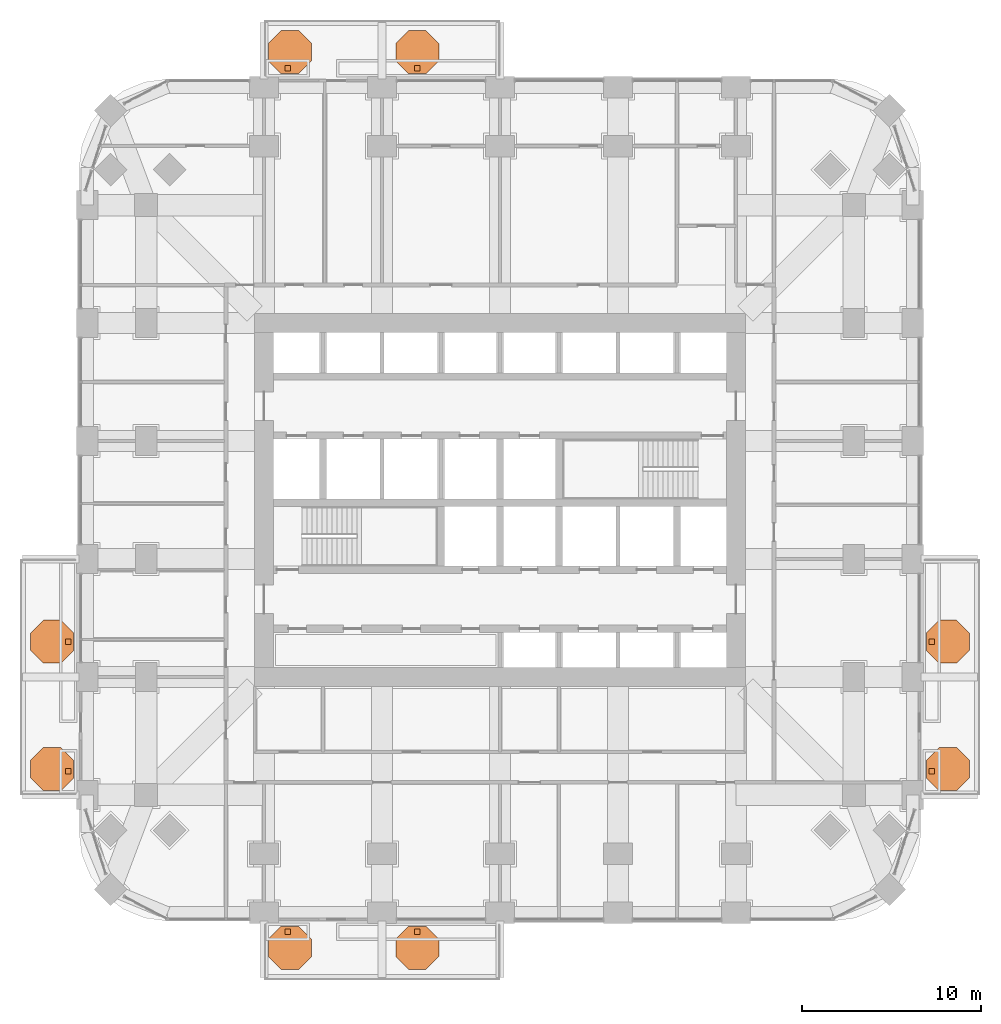
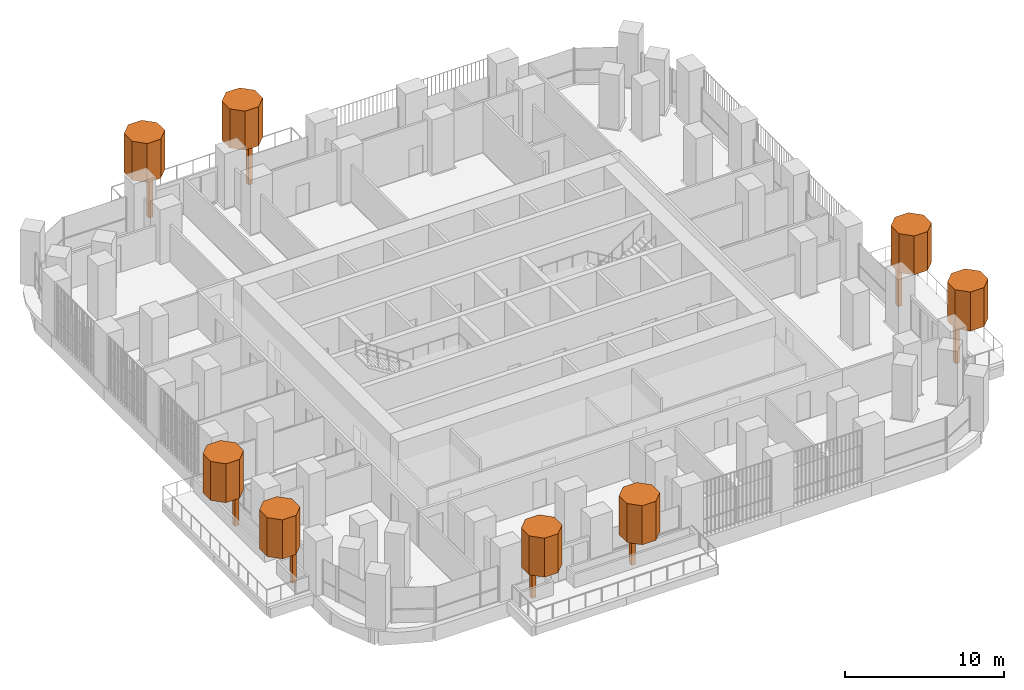
# One storey, part 21 of 21: 16 geographic elements.
"""IFC4 building model written with IfcOpenShell, lengths in metres."""

from ifc_helpers import new_model, si_unit, direction, frame, origin, origin_2d, place, context, subcontext, project, spatial, polyline, rectangle, outline, extrude, material, type_object, element, save


model = new_model("IFC4")

# Units and contexts
model_context = context("Model", 3, precision=1e-05, world=origin(), true_north=direction((0.0, 1.0)))
body_context = subcontext(model_context, "Body", "Model", "MODEL_VIEW")
ifc_project = project(units=[si_unit("LENGTHUNIT", "METRE"), si_unit("AREAUNIT", "SQUARE_METRE"), si_unit("VOLUMEUNIT", "CUBIC_METRE"), si_unit("PLANEANGLEUNIT", "RADIAN"), si_unit("MASSUNIT", "GRAM", prefix="KILO")], contexts=[model_context])

# Site, building, storey
site_placement = place(None, origin())
site = spatial("IfcSite", under=ifc_project, at=site_placement, CompositionType="ELEMENT")
building_placement = place(site_placement, origin())
building = spatial("IfcBuilding", under=site, at=building_placement, Name="Cobogo Forest Laboratory Tower", CompositionType="ELEMENT")
storey_placement = place(building_placement, frame((0.0, 0.0, 107.39990234375)))
storey = spatial("IfcBuildingStorey", under=building, at=storey_placement, Name="L24", CompositionType="ELEMENT", Elevation=107.39990234375)

# Geographic elements
ifc_material = material(Name="Planting", Category="plant")
geographic_element_type_1 = type_object("IfcGeographicElementType", Name="Tree trunk 300", PredefinedType="USERDEFINED", material=ifc_material)
for number, where, z_axis, x_axis, name in (
    (1, (14.52490234375, -1.050048828125, 0.000244140625), (0.0, 0.0, 1.0), (1.0, 0.0, 0.0), "Tree trunk BAL-S1-PL1 L24"),
    (2, (21.77490234375, -1.050048828125, 0.000244140625), (0.0, 0.0, 1.0), (1.0, 0.0, 0.0), "Tree trunk BAL-S1-PL2 L24"),
    (3, (50.550048828125, 7.925048828125, 0.000244140625), (0.0, 0.0, 1.0), (1.0, 0.0, 0.0), "Tree trunk BAL-E1-PL1 L24"),
    (4, (50.550048828125, 15.175048828125, 0.000244140625), (0.0, 0.0, 1.0), (1.0, 0.0, 0.0), "Tree trunk BAL-E1-PL2 L24"),
    (5, (14.52490234375, 47.25, 0.000244140625), (0.0, 0.0, 1.0), (1.0, 0.0, 0.0), "Tree trunk BAL-N1-PL1 L24"),
    (6, (21.77490234375, 47.25, 0.000244140625), (0.0, 0.0, 1.0), (1.0, 0.0, 0.0), "Tree trunk BAL-N1-PL2 L24"),
    (7, (2.25, 7.925048828125, 0.000244140625), (0.0, 0.0, 1.0), (1.0, 0.0, 0.0), "Tree trunk BAL-W1-PL1 L24"),
    (8, (2.25, 15.175048828125, 0.000244140625), (0.0, 0.0, 1.0), (1.0, 0.0, 0.0), "Tree trunk BAL-W1-PL2 L24"),
):
    element("IfcGeographicElement", number, at=place(storey_placement, frame(where, z_axis=z_axis, x_axis=x_axis)), inside=storey, type_object=geographic_element_type_1, Name=name, ObjectType="TREE TRUNK", PredefinedType="USERDEFINED", context=body_context, shape_type="SweptSolid", body=[
        extrude(rectangle(XDim=0.300048828125, YDim=0.300048828125, at=origin_2d()), origin(), (0.0, 0.0, 1.0), 2.89990234375),
    ])
geographic_element_type_2 = type_object("IfcGeographicElementType", Name="Tree, holm oak 5 m", PredefinedType="USERDEFINED", material=ifc_material)
geographic_element_1_placement = place(storey_placement, frame((0.0, 0.0, 2.900146484375)))
element("IfcGeographicElement", 9, at=geographic_element_1_placement, inside=storey, type_object=geographic_element_type_2, Name="Holm tree BAL-S1-PL1 L24", ObjectType="TREE", PredefinedType="USERDEFINED", context=body_context, shape_type="SweptSolid", body=[
    extrude(outline(polyline([(15.85009765625, -2.447021484375), (15.85009765625, -1.452880859375), (15.14697265625, -0.75), (14.15283203125, -0.75), (13.449951171875, -1.452880859375), (13.449951171875, -2.447021484375), (14.15283203125, -3.14990234375), (15.14697265625, -3.14990234375), (15.85009765625, -2.447021484375)])), origin(), (0.0, 0.0, 1.0), 3.0),
])
geographic_element_2_placement = place(storey_placement, frame((0.0, 0.0, 2.900146484375)))
element("IfcGeographicElement", 10, at=geographic_element_2_placement, inside=storey, type_object=geographic_element_type_2, Name="Holm tree BAL-S1-PL2 L24", ObjectType="TREE", PredefinedType="USERDEFINED", context=body_context, shape_type="SweptSolid", body=[
    extrude(outline(polyline([(22.97509765625, -2.447021484375), (22.97509765625, -1.452880859375), (22.27197265625, -0.75), (21.27783203125, -0.75), (20.574951171875, -1.452880859375), (20.574951171875, -2.447021484375), (21.27783203125, -3.14990234375), (22.27197265625, -3.14990234375), (22.97509765625, -2.447021484375)])), origin(), (0.0, 0.0, 1.0), 3.0),
])
geographic_element_3_placement = place(storey_placement, frame((0.0, 0.0, 2.900146484375)))
element("IfcGeographicElement", 11, at=geographic_element_3_placement, inside=storey, type_object=geographic_element_type_2, Name="Holm tree BAL-E1-PL1 L24", ObjectType="TREE", PredefinedType="USERDEFINED", context=body_context, shape_type="SweptSolid", body=[
    extrude(outline(polyline([(52.64990234375, 7.552978515625), (52.64990234375, 8.547119140625), (51.947021484375, 9.25), (50.952880859375, 9.25), (50.25, 8.547119140625), (50.25, 7.552978515625), (50.952880859375, 6.85009765625), (51.947021484375, 6.85009765625), (52.64990234375, 7.552978515625)])), origin(), (0.0, 0.0, 1.0), 3.0),
])
geographic_element_4_placement = place(storey_placement, frame((0.0, 0.0, 2.900146484375)))
element("IfcGeographicElement", 12, at=geographic_element_4_placement, inside=storey, type_object=geographic_element_type_2, Name="Holm tree BAL-E1-PL2 L24", ObjectType="TREE", PredefinedType="USERDEFINED", context=body_context, shape_type="SweptSolid", body=[
    extrude(outline(polyline([(52.64990234375, 14.677978515625), (52.64990234375, 15.672119140625), (51.947021484375, 16.375), (50.952880859375, 16.375), (50.25, 15.672119140625), (50.25, 14.677978515625), (50.952880859375, 13.97509765625), (51.947021484375, 13.97509765625), (52.64990234375, 14.677978515625)])), origin(), (0.0, 0.0, 1.0), 3.0),
])
geographic_element_5_placement = place(storey_placement, frame((0.0, 0.0, 2.900146484375)))
element("IfcGeographicElement", 13, at=geographic_element_5_placement, inside=storey, type_object=geographic_element_type_2, Name="Holm tree BAL-N1-PL1 L24", ObjectType="TREE", PredefinedType="USERDEFINED", context=body_context, shape_type="SweptSolid", body=[
    extrude(outline(polyline([(15.85009765625, 47.65283203125), (15.85009765625, 48.64697265625), (15.14697265625, 49.35009765625), (14.15283203125, 49.35009765625), (13.449951171875, 48.64697265625), (13.449951171875, 47.65283203125), (14.15283203125, 46.949951171875), (15.14697265625, 46.949951171875), (15.85009765625, 47.65283203125)])), origin(), (0.0, 0.0, 1.0), 3.0),
])
geographic_element_6_placement = place(storey_placement, frame((0.0, 0.0, 2.900146484375)))
element("IfcGeographicElement", 14, at=geographic_element_6_placement, inside=storey, type_object=geographic_element_type_2, Name="Holm tree BAL-N1-PL2 L24", ObjectType="TREE", PredefinedType="USERDEFINED", context=body_context, shape_type="SweptSolid", body=[
    extrude(outline(polyline([(22.97509765625, 47.65283203125), (22.97509765625, 48.64697265625), (22.27197265625, 49.35009765625), (21.27783203125, 49.35009765625), (20.574951171875, 48.64697265625), (20.574951171875, 47.65283203125), (21.27783203125, 46.949951171875), (22.27197265625, 46.949951171875), (22.97509765625, 47.65283203125)])), origin(), (0.0, 0.0, 1.0), 3.0),
])
geographic_element_7_placement = place(storey_placement, frame((0.0, 0.0, 2.900146484375)))
element("IfcGeographicElement", 15, at=geographic_element_7_placement, inside=storey, type_object=geographic_element_type_2, Name="Holm tree BAL-W1-PL1 L24", ObjectType="TREE", PredefinedType="USERDEFINED", context=body_context, shape_type="SweptSolid", body=[
    extrude(outline(polyline([(2.550048828125, 7.552978515625), (2.550048828125, 8.547119140625), (1.84716796875, 9.25), (0.85302734375, 9.25), (0.14990234375, 8.547119140625), (0.14990234375, 7.552978515625), (0.85302734375, 6.85009765625), (1.84716796875, 6.85009765625), (2.550048828125, 7.552978515625)])), origin(), (0.0, 0.0, 1.0), 3.0),
])
geographic_element_8_placement = place(storey_placement, frame((0.0, 0.0, 2.900146484375)))
element("IfcGeographicElement", 16, at=geographic_element_8_placement, inside=storey, type_object=geographic_element_type_2, Name="Holm tree BAL-W1-PL2 L24", ObjectType="TREE", PredefinedType="USERDEFINED", context=body_context, shape_type="SweptSolid", body=[
    extrude(outline(polyline([(2.550048828125, 14.677978515625), (2.550048828125, 15.672119140625), (1.84716796875, 16.375), (0.85302734375, 16.375), (0.14990234375, 15.672119140625), (0.14990234375, 14.677978515625), (0.85302734375, 13.97509765625), (1.84716796875, 13.97509765625), (2.550048828125, 14.677978515625)])), origin(), (0.0, 0.0, 1.0), 3.0),
])

save(model, "model.ifc")
